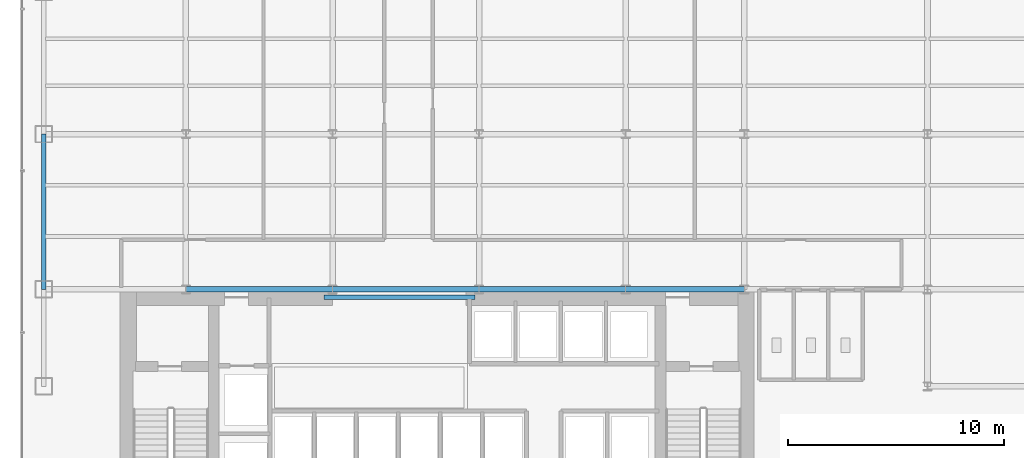
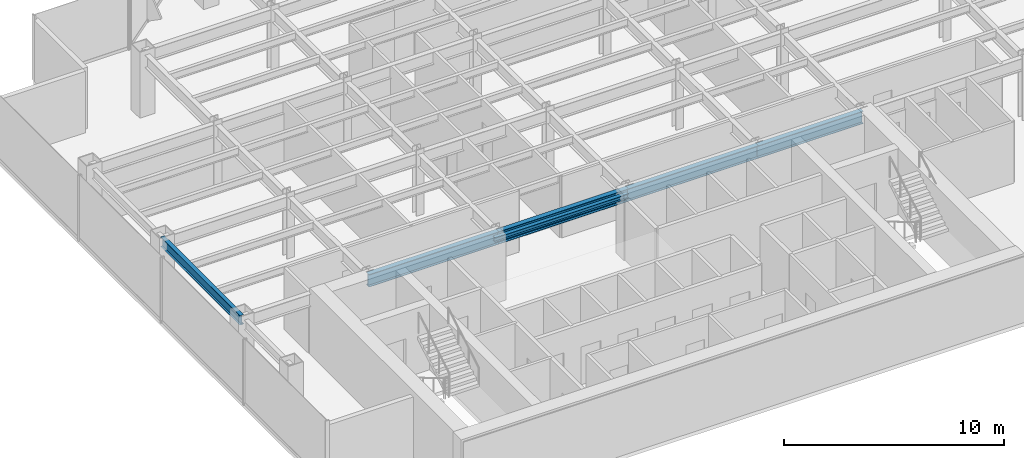
# One storey, part 3 of 26: 6 beams.
"""IFC4 building model written with IfcOpenShell, lengths in metres."""

from ifc_helpers import new_model, si_unit, derived_unit, direction, frame, origin, origin_2d, place, context, subcontext, project, spatial, i_section, extrude, source, transform, mapped, material, material_profile, profile_set, type_object, element, save


model = new_model("IFC4")

# Units and contexts
model_context = context("Model", 3, precision=1e-05, world=origin(), true_north=direction((0.0, 1.0)))
body_context = subcontext(model_context, "Body", "Model", "MODEL_VIEW")
ifc_project = project(units=[si_unit("LENGTHUNIT", "METRE"), si_unit("AREAUNIT", "SQUARE_METRE"), si_unit("VOLUMEUNIT", "CUBIC_METRE"), si_unit("PLANEANGLEUNIT", "RADIAN"), si_unit("MASSUNIT", "GRAM", prefix="KILO"), derived_unit("THERMALTRANSMITTANCEUNIT", [(si_unit("POWERUNIT", "WATT"), 1), (si_unit("LENGTHUNIT", "METRE"), -2), (si_unit("THERMODYNAMICTEMPERATUREUNIT", "KELVIN"), -1)])], contexts=[model_context])

# Site, building, storey
site_placement = place(None, origin())
site = spatial("IfcSite", under=ifc_project, at=site_placement, CompositionType="ELEMENT")
building_placement = place(site_placement, origin())
building = spatial("IfcBuilding", under=site, at=building_placement, Name="Skarnbrae Concourse Arena and Tower", CompositionType="ELEMENT")
storey_placement = place(building_placement, frame((0.0, 0.0, 128.800048828125)))
storey = spatial("IfcBuildingStorey", under=building, at=storey_placement, Name="L32", CompositionType="ELEMENT", Elevation=128.800048828125)

# Beams
ifc_material = material(Name="Steel CSA G40.21 350W", Category="steel")
ifc_material_profile_1 = material_profile(ifc_material, i_section(OverallWidth=0.202880859375, OverallDepth=0.251953125, WebThickness=0.008056640625, FlangeThickness=0.013427734375, at=origin_2d()), Name="W250X58")
ifc_profile_set_1 = profile_set([ifc_material_profile_1], Name="Steel CSA G40.21 350W")
beam_type_1 = type_object("IfcBeamType", Name="BM-LINTEL-W250X58", PredefinedType="LINTEL", material=ifc_profile_set_1)
shared_shape_1 = source(origin(), body_context, "Body", "SweptSolid", [
    extrude(i_section(OverallWidth=0.202880859375, OverallDepth=0.251953125, WebThickness=0.008056640625, FlangeThickness=0.013427734375, at=origin_2d()), origin(), (0.0, 0.0, 1.0), 7.0),
])
beam_1_placement = place(storey_placement, frame((14.0, 13.625, 3.27392578125), z_axis=(1.0, 0.0, 0.0), x_axis=(0.0, 1.0, 0.0)))
element("IfcBeam", 1, at=beam_1_placement, inside=storey, type_object=beam_type_1, Name="L32 Core portal coupling lintel", PredefinedType="LINTEL", context=body_context, shape_type="MappedRepresentation", body=[
    mapped(shared_shape_1, transform((0.0, 0.0, 0.0))),
])
ifc_material_profile_2 = material_profile(ifc_material, i_section(OverallWidth=0.256103515625, OverallDepth=0.693115234375, WebThickness=0.014404296875, FlangeThickness=0.023681640625, at=origin_2d()), Name="W690X170")
ifc_profile_set_2 = profile_set([ifc_material_profile_2], Name="Steel CSA G40.21 350W")
beam_type_2 = type_object("IfcBeamType", Name="BM-GIRD-W690X170", PredefinedType="BEAM", material=ifc_profile_set_2)
shared_shape_2 = source(origin(), body_context, "Body", "SweptSolid", [
    extrude(i_section(OverallWidth=0.256103515625, OverallDepth=0.693115234375, WebThickness=0.014404296875, FlangeThickness=0.023681640625, at=origin_2d()), origin(), (0.0, 0.0, 1.0), 6.7998046875),
])
beam_2_placement = place(storey_placement, frame((7.60009765625, 14.0, 3.053466796875), z_axis=(1.0, 0.0, 0.0), x_axis=(0.0, 1.0, 0.0)))
element("IfcBeam", 2, at=beam_2_placement, inside=storey, type_object=beam_type_2, Name="L32 Primary E-W girder Y14.0-2", PredefinedType="BEAM", context=body_context, shape_type="MappedRepresentation", body=[
    mapped(shared_shape_2, transform((0.0, 0.0, 0.0))),
])
shared_shape_3 = source(origin(), body_context, "Body", "SweptSolid", [
    extrude(i_section(OverallWidth=0.256103515625, OverallDepth=0.693115234375, WebThickness=0.014404296875, FlangeThickness=0.023681640625, at=origin_2d()), origin(), (0.0, 0.0, 1.0), 6.800048828125),
])
for number, where, z_axis, x_axis, name in (
    (3, (14.39990234375, 14.0, 3.053466796875), (1.0, 0.0, 0.0), (0.0, 1.0, 0.0), "L32 Primary E-W girder Y14.0-3"),
    (4, (21.199951171875, 14.0, 3.053466796875), (1.0, 0.0, 0.0), (0.0, 1.0, 0.0), "L32 Primary E-W girder Y14.0-4"),
):
    element("IfcBeam", number, at=place(storey_placement, frame(where, z_axis=z_axis, x_axis=x_axis)), inside=storey, type_object=beam_type_2, Name=name, PredefinedType="BEAM", context=body_context, shape_type="MappedRepresentation", body=[
        mapped(shared_shape_3, transform((0.0, 0.0, 0.0))),
    ])
shared_shape_4 = source(origin(), body_context, "Body", "SweptSolid", [
    extrude(i_section(OverallWidth=0.256103515625, OverallDepth=0.693115234375, WebThickness=0.014404296875, FlangeThickness=0.023681640625, at=origin_2d()), origin(), (0.0, 0.0, 1.0), 5.5),
])
beam_3_placement = place(storey_placement, frame((28.0, 14.0, 3.053466796875), z_axis=(1.0, 0.0, 0.0), x_axis=(0.0, 1.0, 0.0)))
element("IfcBeam", 5, at=beam_3_placement, inside=storey, type_object=beam_type_2, Name="L32 Primary E-W girder Y14.0-5", PredefinedType="BEAM", context=body_context, shape_type="MappedRepresentation", body=[
    mapped(shared_shape_4, transform((0.0, 0.0, 0.0))),
])
ifc_material_profile_3 = material_profile(ifc_material, i_section(OverallWidth=0.208984375, OverallDepth=0.532958984375, WebThickness=0.01025390625, FlangeThickness=0.015625, at=origin_2d()), Name="W530X92")
ifc_profile_set_3 = profile_set([ifc_material_profile_3], Name="Steel CSA G40.21 350W")
beam_type_3 = type_object("IfcBeamType", Name="BM-SPAN-W530X92", PredefinedType="SPANDREL", material=ifc_profile_set_3)
shared_shape_5 = source(origin(), body_context, "Body", "SweptSolid", [
    extrude(i_section(OverallWidth=0.208984375, OverallDepth=0.532958984375, WebThickness=0.01025390625, FlangeThickness=0.015625, at=origin_2d()), origin(), (0.0, 0.0, 1.0), 7.199951171875),
])
beam_4_placement = place(storey_placement, frame((1.0, 14.0, 3.133544921875), z_axis=(0.0, 1.0, 0.0), x_axis=(-1.0, 0.0, 0.0)))
element("IfcBeam", 6, at=beam_4_placement, inside=storey, type_object=beam_type_3, Name="L32 Perimeter spandrel X1.0-2", PredefinedType="SPANDREL", context=body_context, shape_type="MappedRepresentation", body=[
    mapped(shared_shape_5, transform((0.0, 0.0, 0.0))),
])

save(model, "model.ifc")
